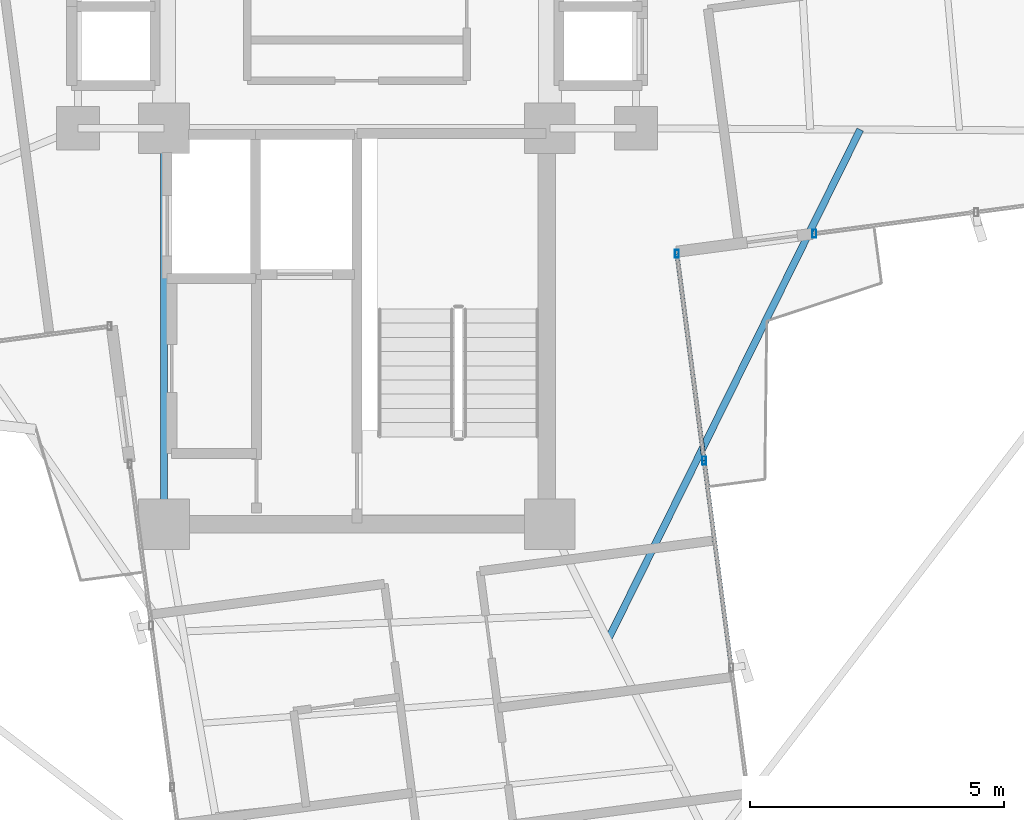
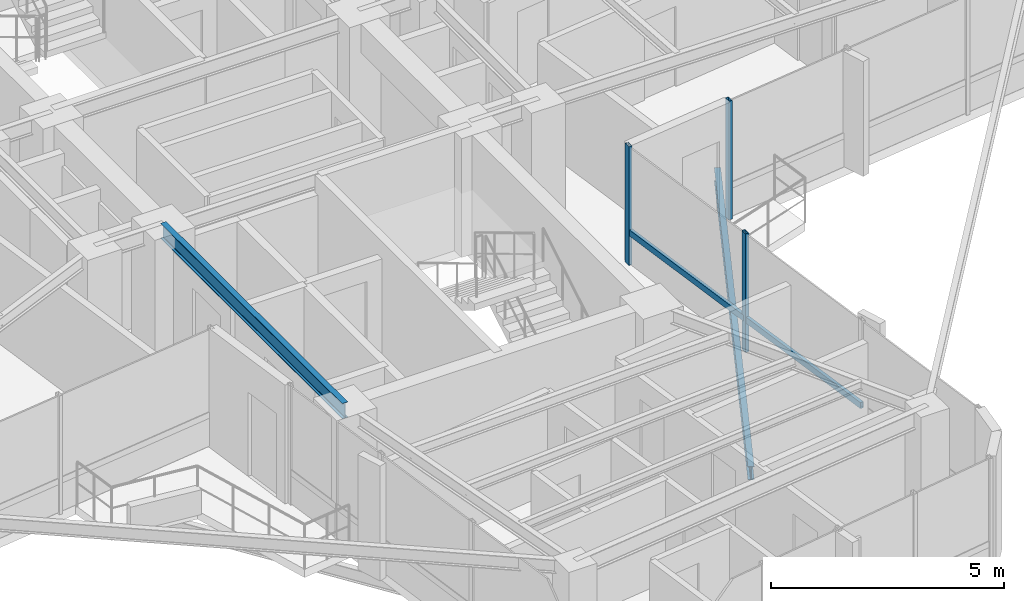
# One storey, part 5 of 22: 5 members, 2 beams, 2 elements without a shape of their own.
"""IFC4 building model written with IfcOpenShell, lengths in metres."""

from ifc_helpers import new_model, si_unit, direction, frame, origin, origin_2d, place, context, subcontext, project, spatial, hollow_rectangle, i_section, extrude, source, transform, mapped, material, material_profile, profile_set, type_object, element, aggregate, save


model = new_model("IFC4")

# Units and contexts
model_context = context("Model", 3, precision=1e-05, world=origin(), true_north=direction((0.0, 1.0)))
body_context = subcontext(model_context, "Body", "Model", "MODEL_VIEW")
ifc_project = project(units=[si_unit("LENGTHUNIT", "METRE"), si_unit("AREAUNIT", "SQUARE_METRE"), si_unit("VOLUMEUNIT", "CUBIC_METRE"), si_unit("PLANEANGLEUNIT", "RADIAN"), si_unit("MASSUNIT", "GRAM", prefix="KILO")], contexts=[model_context])

# Site, building, storey
site_placement = place(None, origin())
site = spatial("IfcSite", under=ifc_project, at=site_placement, CompositionType="ELEMENT")
building_placement = place(site_placement, origin())
building = spatial("IfcBuilding", under=site, at=building_placement, Name="Sahyath Konkavel Grand Hotel", CompositionType="ELEMENT")
storey_placement = place(building_placement, frame((0.0, 0.0, 247.85009765625)))
storey = spatial("IfcBuildingStorey", under=building, at=storey_placement, Name="L69", CompositionType="ELEMENT", Elevation=247.85009765625)

# Beam
ifc_material_1 = material(Name="Steel E350", Category="steel")
ifc_material_profile_1 = material_profile(ifc_material_1, i_section(OverallWidth=0.139892578125, OverallDepth=0.39990234375, WebThickness=0.0087890625, FlangeThickness=0.01611328125, FilletRadius=0.013916015625, at=origin_2d()), Name="ISMB 400")
ifc_profile_set_1 = profile_set([ifc_material_profile_1], Name="Steel E350")
beam_type_1 = type_object("IfcBeamType", Name="BM-ISMB400", PredefinedType="BEAM", material=ifc_profile_set_1)
shared_shape_1 = source(origin(), body_context, "Body", "SweptSolid", [
    extrude(i_section(OverallWidth=0.139892578125, OverallDepth=0.39990234375, WebThickness=0.0087890625, FlangeThickness=0.01611328125, FilletRadius=0.013916015625, at=origin_2d()), origin(), (0.0, 0.0, 1.0), 7.800048828125),
])
beam_1_placement = place(storey_placement, frame((-3.800048828125, -10.199951171875, 2.909912109375), z_axis=(0.0, 1.0, 0.0), x_axis=(-1.0, 0.0, 0.0)))
element("IfcBeam", 1, at=beam_1_placement, inside=storey, type_object=beam_type_1, Name="str:bm:L69:SC-W", PredefinedType="BEAM", context=body_context, shape_type="MappedRepresentation", body=[
    mapped(shared_shape_1, transform((0.0, 0.0, 0.0), scale=1.0)),
])

# Curtain wall, member
ifc_material_2 = material(Name="Anodised Bronze Aluminium & Low-E Glazing", Category="aluminium")
curtain_wall_type = type_object("IfcCurtainWallType", Name="CW-ZONE4", PredefinedType="NOTDEFINED", material=ifc_material_2)
curtain_wall_1_placement = place(storey_placement, origin())
curtain_wall_1 = element("IfcCurtainWall", 2, at=curtain_wall_1_placement, inside=storey, type_object=curtain_wall_type, Name="L69 Unitised Curtain Wall F0", PredefinedType="NOTDEFINED")
ifc_material_3 = material(Name="Anodised Bronze Aluminium", Category="aluminium")
ifc_material_profile_2 = material_profile(ifc_material_3, hollow_rectangle(XDim=0.080078125, YDim=0.159912109375, WallThickness=0.006103515625, at=origin_2d()), Name="RHS 160x80x6")
ifc_profile_set_2 = profile_set([ifc_material_profile_2], Name="Anodised Bronze Aluminium")
member_type_1 = type_object("IfcMemberType", Name="CW-MUL-160", PredefinedType="MULLION", material=ifc_profile_set_2)
shared_shape_2 = source(origin(), body_context, "Body", "SweptSolid", [
    extrude(hollow_rectangle(XDim=0.080078125, YDim=0.159912109375, WallThickness=0.006103515625, at=origin_2d()), origin(), (0.0, 0.0, 1.0), 3.10986328125),
])
member_1_placement = place(storey_placement, frame((9.01416015625, -4.474609375, 0.0), z_axis=(0.0, 0.0, 1.0), x_axis=(1.0, 0.0, 0.0)))
member_1 = element("IfcMember", 3, at=member_1_placement, type_object=member_type_1, Name="L69 Curtain Wall Mullion F0-0", PredefinedType="MULLION", context=body_context, shape_type="MappedRepresentation", body=[
    mapped(shared_shape_2, transform((0.0, 0.0, 0.0), scale=1.0)),
])
aggregate(curtain_wall_1, [member_1])

# Curtain wall, members
curtain_wall_2_placement = place(storey_placement, origin())
curtain_wall_2 = element("IfcCurtainWall", 4, at=curtain_wall_2_placement, inside=storey, type_object=curtain_wall_type, Name="L69 Unitised Curtain Wall F31", PredefinedType="NOTDEFINED")
member_2_placement = place(storey_placement, frame((6.839599609375, -8.94921875, 0.0), z_axis=(0.0, 0.0, 1.0), x_axis=(1.0, 0.0, 0.0)))
member_2 = element("IfcMember", 5, at=member_2_placement, type_object=member_type_1, Name="L69 Curtain Wall Mullion F31-2", PredefinedType="MULLION", context=body_context, shape_type="MappedRepresentation", body=[
    mapped(shared_shape_2, transform((0.0, 0.0, 0.0), scale=1.0)),
])
member_3_placement = place(storey_placement, frame((6.302734375, -4.8720703125, 0.0), z_axis=(0.0, 0.0, 1.0), x_axis=(1.0, 0.0, 0.0)))
member_3 = element("IfcMember", 6, at=member_3_placement, type_object=member_type_1, Name="L69 Curtain Wall Mullion F31-3", PredefinedType="MULLION", context=body_context, shape_type="MappedRepresentation", body=[
    mapped(shared_shape_2, transform((0.0, 0.0, 0.0), scale=1.0)),
])
ifc_material_profile_3 = material_profile(ifc_material_3, hollow_rectangle(XDim=0.080078125, YDim=0.159912109375, WallThickness=0.006103515625, at=origin_2d()), Name="RHS 160x80x6")
ifc_profile_set_3 = profile_set([ifc_material_profile_3], Name="Anodised Bronze Aluminium")
member_type_2 = type_object("IfcMemberType", Name="CW-TRN-160", PredefinedType="USERDEFINED", material=ifc_profile_set_3)
shared_shape_3 = source(origin(), body_context, "Body", "SweptSolid", [
    extrude(hollow_rectangle(XDim=0.080078125, YDim=0.159912109375, WallThickness=0.006103515625, at=origin_2d()), origin(), (0.0, 0.0, 1.0), 4.1123046875),
])
member_4_placement = place(storey_placement, frame((7.37646484375, -13.0263671875, 0.849853515625), z_axis=(-0.130549726719, 0.991441762714, 0.0), x_axis=(-0.991441762714, -0.130549726719, 0.0)))
member_4 = element("IfcMember", 7, at=member_4_placement, type_object=member_type_2, Name="L69 Curtain Wall Transom F31-1-spandrel", ObjectType="TRANSOM", PredefinedType="USERDEFINED", context=body_context, shape_type="MappedRepresentation", body=[
    mapped(shared_shape_3, transform((0.0, 0.0, 0.0), scale=1.0)),
])
member_5_placement = place(storey_placement, frame((6.839599609375, -8.94921875, 0.849853515625), z_axis=(-0.130549726719, 0.991441762714, 0.0), x_axis=(-0.991441762714, -0.130549726719, 0.0)))
member_5 = element("IfcMember", 8, at=member_5_placement, type_object=member_type_2, Name="L69 Curtain Wall Transom F31-2-spandrel", ObjectType="TRANSOM", PredefinedType="USERDEFINED", context=body_context, shape_type="MappedRepresentation", body=[
    mapped(shared_shape_3, transform((0.0, 0.0, 0.0), scale=1.0)),
])
aggregate(curtain_wall_2, [member_2, member_3, member_4, member_5])

# Beam
ifc_material_profile_4 = material_profile(ifc_material_1, i_section(OverallWidth=0.139892578125, OverallDepth=0.35009765625, WebThickness=0.008056640625, FlangeThickness=0.01416015625, FilletRadius=0.013916015625, at=origin_2d()), Name="ISMB 350")
ifc_profile_set_4 = profile_set([ifc_material_profile_4], Name="Steel E350")
beam_type_2 = type_object("IfcBeamType", Name="BM-BALC-CANT", PredefinedType="BEAM", material=ifc_profile_set_4)
shared_shape_4 = source(origin(), body_context, "Body", "SweptSolid", [
    extrude(i_section(OverallWidth=0.139892578125, OverallDepth=0.35009765625, WebThickness=0.008056640625, FlangeThickness=0.01416015625, FilletRadius=0.013916015625, at=origin_2d()), origin(), (0.0, 0.0, 1.0), 11.213134765625),
])
beam_2_placement = place(storey_placement, frame((4.946044921875, -12.476318359375, -0.4150390625), z_axis=(0.443246593329, 0.896399719714, 0.0), x_axis=(-0.896399719714, 0.443246593329, 0.0)))
element("IfcBeam", 9, at=beam_2_placement, inside=storey, type_object=beam_type_2, Name="L69 Balcony Cantilever Support Beam SE", PredefinedType="BEAM", context=body_context, shape_type="MappedRepresentation", body=[
    mapped(shared_shape_4, transform((0.0, 0.0, 0.0), scale=1.0)),
])

save(model, "model.ifc")
